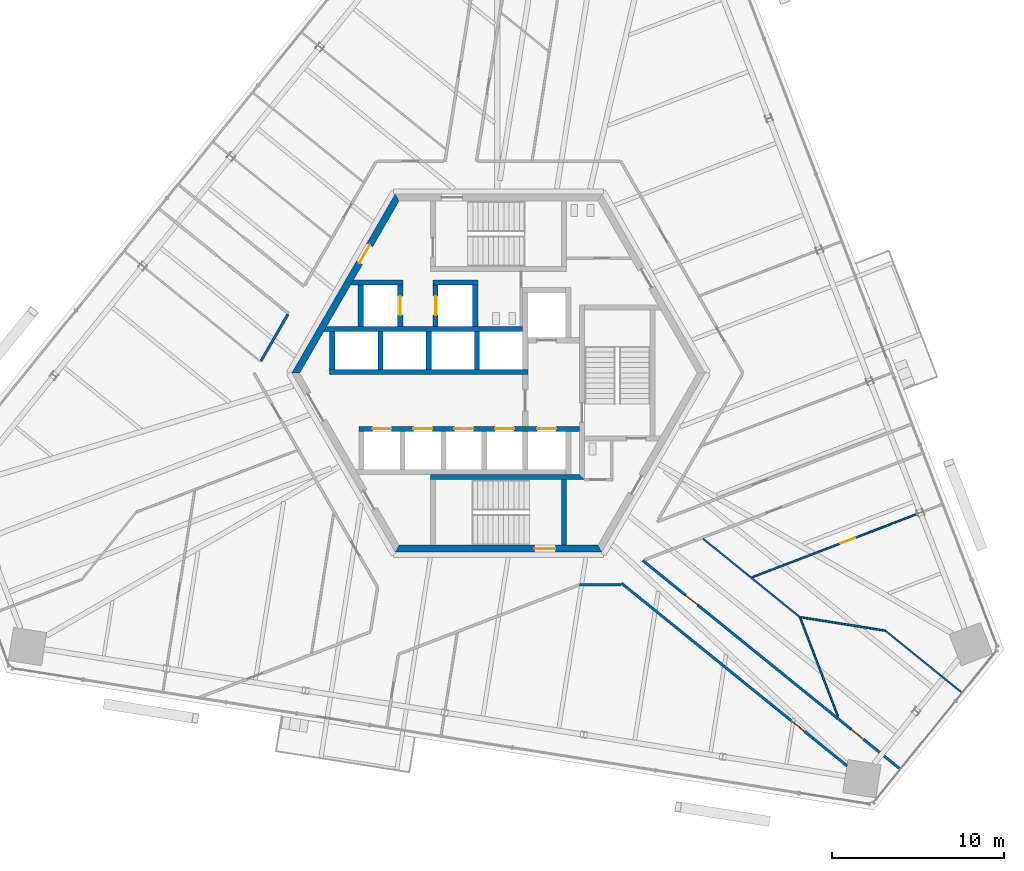
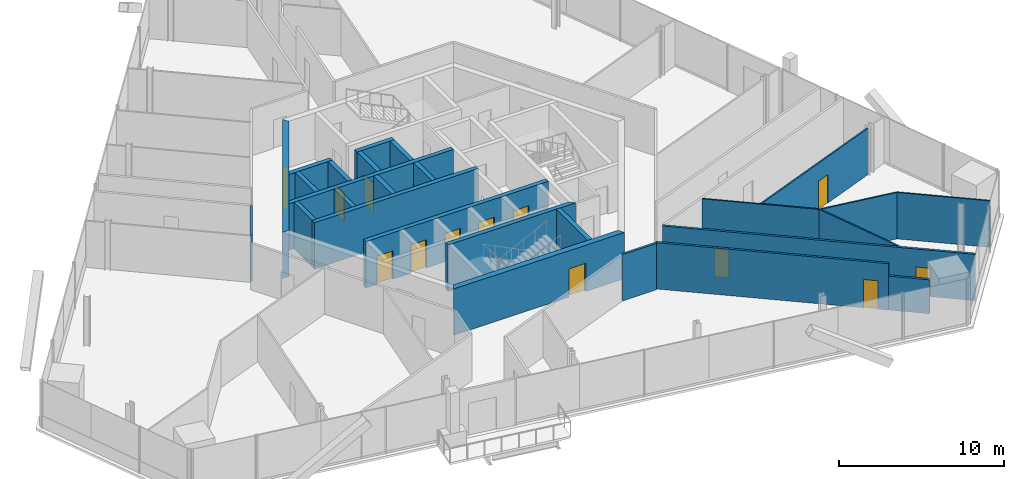
# One storey, part 12 of 19: 27 walls, 13 doors, 13 openings.
"""IFC4 building model written with IfcOpenShell, lengths in metres."""

from ifc_helpers import new_model, si_unit, direction, frame, frame_2d, origin, place, context, subcontext, project, spatial, polyline, rectangle, outline, extrude, source, transform, mapped, material, layer, layer_set, type_object, element, fill, save


model = new_model("IFC4")

# Units and contexts
model_context = context("Model", 3, precision=1e-05, world=origin(), true_north=direction((0.0, 1.0)))
body_context = subcontext(model_context, "Body", "Model", "MODEL_VIEW")
ifc_project = project(units=[si_unit("LENGTHUNIT", "METRE"), si_unit("AREAUNIT", "SQUARE_METRE"), si_unit("VOLUMEUNIT", "CUBIC_METRE"), si_unit("PLANEANGLEUNIT", "RADIAN"), si_unit("MASSUNIT", "GRAM", prefix="KILO")], contexts=[model_context])

# Site, building, storey
site_placement = place(None, origin())
site = spatial("IfcSite", under=ifc_project, at=site_placement, CompositionType="ELEMENT")
building_placement = place(site_placement, origin())
building = spatial("IfcBuilding", under=site, at=building_placement, Name="Triune Harvest Tower", CompositionType="ELEMENT")
storey_placement = place(building_placement, frame((0.0, 0.0, 142.5)))
storey = spatial("IfcBuildingStorey", under=building, at=storey_placement, Name="L36", CompositionType="ELEMENT", Elevation=142.5)

# Wall
ifc_material_1 = material(Name="Gypsum board on steel studs", Category="steel")
ifc_layer_1 = layer(ifc_material_1, 0.10009765625)
ifc_layer_set_1 = layer_set([ifc_layer_1], Name="Gypsum board on steel studs")
wall_type_1 = type_object("IfcWallType", Name="Partition 100 mm", PredefinedType="PARTITIONING", material=ifc_layer_set_1)
wall_1_placement = place(storey_placement, frame((17.56787109375, -14.18115234375, 0.0), z_axis=(0.0, 0.0, 1.0), x_axis=(0.987688146397, -0.156435691151, 0.0)))
element("IfcWall", 1, at=wall_1_placement, inside=storey, type_object=wall_type_1, Name="Partition L36 021", PredefinedType="PARTITIONING", context=body_context, shape_type="SweptSolid", body=[
    extrude(rectangle(XDim=4.955078125, YDim=0.10009765625, at=frame_2d((2.4775390625, 0.0))), origin(), (0.0, 0.0, 1.0), 3.43994140625),
])

# Wall, opening, door
ifc_material_2 = material(Name="Concrete 70 MPa", Category="concrete")
ifc_layer_2 = layer(ifc_material_2, 0.39990234375)
ifc_layer_set_2 = layer_set([ifc_layer_2], Name="Concrete 70 MPa")
wall_type_2 = type_object("IfcWallType", Name="Core wall 400", PredefinedType="SHEAR", material=ifc_layer_set_2)
shared_shape_1 = source(origin(), body_context, "Body", "SweptSolid", [
    extrude(outline(polyline([(-0.115478515625, -0.199951171875), (11.884521484375, -0.199951171875), (11.653564453125, 0.199951171875), (0.115478515625, 0.199951171875), (-0.115478515625, -0.199951171875)])), origin(), (0.0, 0.0, 1.0), 3.43994140625),
])
wall_2_placement = place(storey_placement, frame((-5.884521484375, 10.1923828125, 0.0), z_axis=(0.0, 0.0, 1.0), x_axis=(-0.499996592174, -0.866027371285, 0.0)))
wall_2 = element("IfcWall", 2, at=wall_2_placement, inside=storey, type_object=wall_type_2, Name="Hexagon 2 wall", PredefinedType="SHEAR", context=body_context, shape_type="MappedRepresentation", body=[
    mapped(shared_shape_1, transform((0.0, 0.0, 0.0), scale=1.0)),
])
opening_1_placement = place(wall_2_placement, frame((3.1845703125, 0.0, 0.0)))
opening_1 = element("IfcOpeningElement", 3, at=opening_1_placement, cuts=wall_2, Name="Opening CD-SVP", PredefinedType="OPENING", context=body_context, shape_type="SweptSolid", body=[
    extrude(rectangle(XDim=1.199951171875, YDim=2.10009765625, at=frame_2d((0.60009765625, 1.050048828125))), frame((0.0, 0.2099609375, 0.0), z_axis=(0.0, -1.0, 0.0), x_axis=(1.0, 0.0, 0.0)), (0.0, 0.0, 1.0), 0.419921875),
])
ifc_material_3 = material(Name="Steel S235", Category="steel")
door_type_1 = type_object("IfcDoorType", Name="Service door 1200 FD120", OperationType="SINGLE_SWING_LEFT", PredefinedType="DOOR", material=ifc_material_3)
door_1_placement = place(opening_1_placement, frame((1.199951171875, 0.0, 0.0), z_axis=(0.0, 0.0, 1.0), x_axis=(-1.0, 0.0, 0.0)))
door_1 = element("IfcDoor", 4, at=door_1_placement, inside=storey, type_object=door_type_1, Name="Door CD-SVP", OperationType="SINGLE_SWING_RIGHT", OverallHeight=2.10009765625, OverallWidth=1.199951171875, PredefinedType="DOOR", context=body_context, shape_type="SweptSolid", body=[
    extrude(rectangle(XDim=1.199951171875, YDim=2.10009765625, at=frame_2d((0.60009765625, 1.050048828125))), frame((0.0, 0.02490234375, 0.0), z_axis=(0.0, -1.0, 0.0), x_axis=(1.0, 0.0, 0.0)), (0.0, 0.0, 1.0), 0.050048828125),
])
fill(opening_1, door_1)

wall_3_placement = place(storey_placement, frame((-5.884521484375, -10.1923828125, 0.0), z_axis=(0.0, 0.0, 1.0), x_axis=(1.0, 0.0, 0.0)))
wall_3 = element("IfcWall", 5, at=wall_3_placement, inside=storey, type_object=wall_type_2, Name="Hexagon 4 wall", PredefinedType="SHEAR", context=body_context, shape_type="MappedRepresentation", body=[
    mapped(shared_shape_1, transform((0.0, 0.0, 0.0), scale=1.0)),
])
opening_2_placement = place(wall_3_placement, frame((7.984619140625, 0.0, 0.0)))
opening_2 = element("IfcOpeningElement", 6, at=opening_2_placement, cuts=wall_3, Name="Opening CD-S2P", PredefinedType="OPENING", context=body_context, shape_type="SweptSolid", body=[
    extrude(rectangle(XDim=1.199951171875, YDim=2.10009765625, at=frame_2d((0.60009765625, 1.050048828125))), frame((0.0, 0.2099609375, 0.0), z_axis=(0.0, -1.0, 0.0), x_axis=(1.0, 0.0, 0.0)), (0.0, 0.0, 1.0), 0.419921875),
])
ifc_material_4 = material(Name="Steel S235", Category="steel")
door_type_2 = type_object("IfcDoorType", Name="Stair door 1200 FD120", OperationType="SINGLE_SWING_LEFT", PredefinedType="DOOR", material=ifc_material_4)
door_2_placement = place(opening_2_placement, frame((1.199951171875, 0.0, 0.0), z_axis=(0.0, 0.0, 1.0), x_axis=(-1.0, 0.0, 0.0)))
door_2 = element("IfcDoor", 7, at=door_2_placement, inside=storey, type_object=door_type_2, Name="Door CD-S2P", OperationType="SINGLE_SWING_RIGHT", OverallHeight=2.10009765625, OverallWidth=1.199951171875, PredefinedType="DOOR", context=body_context, shape_type="SweptSolid", body=[
    extrude(rectangle(XDim=1.199951171875, YDim=2.10009765625, at=frame_2d((0.60009765625, 1.050048828125))), frame((0.0, 0.02490234375, 0.0), z_axis=(0.0, -1.0, 0.0), x_axis=(1.0, 0.0, 0.0)), (0.0, 0.0, 1.0), 0.050048828125),
])
fill(opening_2, door_2)

# Walls
ifc_material_5 = material(Name="Concrete 70 MPa", Category="concrete")
ifc_layer_3 = layer(ifc_material_5, 0.300048828125)
ifc_layer_set_3 = layer_set([ifc_layer_3], Name="Concrete 70 MPa")
wall_type_3 = type_object("IfcWallType", Name="Core wall 300", PredefinedType="SHEAR", material=ifc_layer_set_3)
shared_shape_2 = source(origin(), body_context, "Body", "SweptSolid", [
    extrude(rectangle(XDim=11.5, YDim=0.300048828125, at=frame_2d((5.75, 0.0))), origin(), (0.0, 0.0, 1.0), 3.43994140625),
])
wall_4_placement = place(storey_placement, frame((-9.800048828125, 0.06005859375, 0.0), z_axis=(0.0, 0.0, 1.0), x_axis=(1.0, 0.0, 0.0)))
element("IfcWall", 8, at=wall_4_placement, inside=storey, type_object=wall_type_3, Name="North front wall", PredefinedType="SHEAR", context=body_context, shape_type="MappedRepresentation", body=[
    mapped(shared_shape_2, transform((0.0, 0.0, 0.0), scale=1.0)),
])
shared_shape_3 = source(origin(), body_context, "Body", "SweptSolid", [
    extrude(outline(polyline([(11.199951171875, -0.14990234375), (-0.34912109375, -0.14990234375), (-0.17578125, 0.14990234375), (11.199951171875, 0.14990234375), (11.199951171875, -0.14990234375)])), origin(), (0.0, 0.0, 1.0), 3.43994140625),
])
wall_5_placement = place(storey_placement, frame((-9.800048828125, 2.56005859375, 0.0), z_axis=(0.0, 0.0, 1.0), x_axis=(1.0, 0.0, 0.0)))
element("IfcWall", 9, at=wall_5_placement, inside=storey, type_object=wall_type_3, Name="North back wall", PredefinedType="SHEAR", context=body_context, shape_type="MappedRepresentation", body=[
    mapped(shared_shape_3, transform((0.0, 0.0, 0.0), scale=1.0)),
])

# Wall, openings, doors
shared_shape_4 = source(origin(), body_context, "Body", "SweptSolid", [
    extrude(rectangle(XDim=12.800048828125, YDim=0.300048828125, at=frame_2d((6.39990234375, 0.0))), origin(), (0.0, 0.0, 1.0), 3.43994140625),
])
wall_6_placement = place(storey_placement, frame((-8.10009765625, -3.239990234375, 0.0), z_axis=(0.0, 0.0, 1.0), x_axis=(1.0, 0.0, 0.0)))
wall_6 = element("IfcWall", 10, at=wall_6_placement, inside=storey, type_object=wall_type_3, Name="South front wall", PredefinedType="SHEAR", context=body_context, shape_type="MappedRepresentation", body=[
    mapped(shared_shape_4, transform((0.0, 0.0, 0.0), scale=1.0)),
])
opening_3_placement = place(wall_6_placement, frame((0.78759765625, 0.0, 0.0)))
opening_3 = element("IfcOpeningElement", 11, at=opening_3_placement, cuts=wall_6, Name="Opening LD-HR1-36", PredefinedType="OPENING", context=body_context, shape_type="SweptSolid", body=[
    extrude(rectangle(XDim=1.10009765625, YDim=2.10009765625, at=frame_2d((0.550048828125, 1.050048828125))), frame((0.0, 0.16015625, 0.0), z_axis=(0.0, -1.0, 0.0), x_axis=(1.0, 0.0, 0.0)), (0.0, 0.0, 1.0), 0.320068359375),
])
opening_4_placement = place(wall_6_placement, frame((3.16259765625, 0.0, 0.0)))
opening_4 = element("IfcOpeningElement", 12, at=opening_4_placement, cuts=wall_6, Name="Opening LD-HR2-36", PredefinedType="OPENING", context=body_context, shape_type="SweptSolid", body=[
    extrude(rectangle(XDim=1.10009765625, YDim=2.10009765625, at=frame_2d((0.550048828125, 1.050048828125))), frame((0.0, 0.16015625, 0.0), z_axis=(0.0, -1.0, 0.0), x_axis=(1.0, 0.0, 0.0)), (0.0, 0.0, 1.0), 0.320068359375),
])
opening_5_placement = place(wall_6_placement, frame((5.53759765625, 0.0, 0.0)))
opening_5 = element("IfcOpeningElement", 13, at=opening_5_placement, cuts=wall_6, Name="Opening LD-HR3-36", PredefinedType="OPENING", context=body_context, shape_type="SweptSolid", body=[
    extrude(rectangle(XDim=1.10009765625, YDim=2.10009765625, at=frame_2d((0.550048828125, 1.050048828125))), frame((0.0, 0.16015625, 0.0), z_axis=(0.0, -1.0, 0.0), x_axis=(1.0, 0.0, 0.0)), (0.0, 0.0, 1.0), 0.320068359375),
])
opening_6_placement = place(wall_6_placement, frame((7.91259765625, 0.0, 0.0)))
opening_6 = element("IfcOpeningElement", 14, at=opening_6_placement, cuts=wall_6, Name="Opening LD-HR4-36", PredefinedType="OPENING", context=body_context, shape_type="SweptSolid", body=[
    extrude(rectangle(XDim=1.10009765625, YDim=2.10009765625, at=frame_2d((0.550048828125, 1.050048828125))), frame((0.0, 0.16015625, 0.0), z_axis=(0.0, -1.0, 0.0), x_axis=(1.0, 0.0, 0.0)), (0.0, 0.0, 1.0), 0.320068359375),
])
opening_7_placement = place(wall_6_placement, frame((10.35009765625, 0.0, 0.0)))
opening_7 = element("IfcOpeningElement", 15, at=opening_7_placement, cuts=wall_6, Name="Opening LD-FF2-36", PredefinedType="OPENING", context=body_context, shape_type="SweptSolid", body=[
    extrude(rectangle(XDim=1.10009765625, YDim=2.10009765625, at=frame_2d((0.550048828125, 1.050048828125))), frame((0.0, 0.16015625, 0.0), z_axis=(0.0, -1.0, 0.0), x_axis=(1.0, 0.0, 0.0)), (0.0, 0.0, 1.0), 0.320068359375),
])
ifc_material_6 = material(Name="Stainless steel AISI 304", Category="steel")
door_type_3 = type_object("IfcDoorType", Name="Landing door 1100 x 2100", OperationType="DOUBLE_DOOR_SLIDING", PredefinedType="DOOR", material=ifc_material_6)
door_3_placement = place(opening_3_placement, origin())
door_3 = element("IfcDoor", 16, at=door_3_placement, inside=storey, type_object=door_type_3, Name="Door LD-HR1-36", OperationType="DOUBLE_DOOR_SLIDING", OverallHeight=2.10009765625, OverallWidth=1.10009765625, PredefinedType="DOOR", context=body_context, shape_type="SweptSolid", body=[
    extrude(rectangle(XDim=1.10009765625, YDim=2.10009765625, at=frame_2d((0.550048828125, 1.050048828125))), frame((0.0, 0.02490234375, 0.0), z_axis=(0.0, -1.0, 0.0), x_axis=(1.0, 0.0, 0.0)), (0.0, 0.0, 1.0), 0.050048828125),
])
fill(opening_3, door_3)
door_4_placement = place(opening_4_placement, origin())
door_4 = element("IfcDoor", 17, at=door_4_placement, inside=storey, type_object=door_type_3, Name="Door LD-HR2-36", OperationType="DOUBLE_DOOR_SLIDING", OverallHeight=2.10009765625, OverallWidth=1.10009765625, PredefinedType="DOOR", context=body_context, shape_type="SweptSolid", body=[
    extrude(rectangle(XDim=1.10009765625, YDim=2.10009765625, at=frame_2d((0.550048828125, 1.050048828125))), frame((0.0, 0.02490234375, 0.0), z_axis=(0.0, -1.0, 0.0), x_axis=(1.0, 0.0, 0.0)), (0.0, 0.0, 1.0), 0.050048828125),
])
fill(opening_4, door_4)
door_5_placement = place(opening_5_placement, origin())
door_5 = element("IfcDoor", 18, at=door_5_placement, inside=storey, type_object=door_type_3, Name="Door LD-HR3-36", OperationType="DOUBLE_DOOR_SLIDING", OverallHeight=2.10009765625, OverallWidth=1.10009765625, PredefinedType="DOOR", context=body_context, shape_type="SweptSolid", body=[
    extrude(rectangle(XDim=1.10009765625, YDim=2.10009765625, at=frame_2d((0.550048828125, 1.050048828125))), frame((0.0, 0.02490234375, 0.0), z_axis=(0.0, -1.0, 0.0), x_axis=(1.0, 0.0, 0.0)), (0.0, 0.0, 1.0), 0.050048828125),
])
fill(opening_5, door_5)
door_6_placement = place(opening_6_placement, origin())
door_6 = element("IfcDoor", 19, at=door_6_placement, inside=storey, type_object=door_type_3, Name="Door LD-HR4-36", OperationType="DOUBLE_DOOR_SLIDING", OverallHeight=2.10009765625, OverallWidth=1.10009765625, PredefinedType="DOOR", context=body_context, shape_type="SweptSolid", body=[
    extrude(rectangle(XDim=1.10009765625, YDim=2.10009765625, at=frame_2d((0.550048828125, 1.050048828125))), frame((0.0, 0.02490234375, 0.0), z_axis=(0.0, -1.0, 0.0), x_axis=(1.0, 0.0, 0.0)), (0.0, 0.0, 1.0), 0.050048828125),
])
fill(opening_6, door_6)
door_7_placement = place(opening_7_placement, origin())
door_7 = element("IfcDoor", 20, at=door_7_placement, inside=storey, type_object=door_type_3, Name="Door LD-FF2-36", OperationType="DOUBLE_DOOR_SLIDING", OverallHeight=2.10009765625, OverallWidth=1.10009765625, PredefinedType="DOOR", context=body_context, shape_type="SweptSolid", body=[
    extrude(rectangle(XDim=1.10009765625, YDim=2.10009765625, at=frame_2d((0.550048828125, 1.050048828125))), frame((0.0, 0.02490234375, 0.0), z_axis=(0.0, -1.0, 0.0), x_axis=(1.0, 0.0, 0.0)), (0.0, 0.0, 1.0), 0.050048828125),
])
fill(opening_7, door_7)

# Walls
shared_shape_5 = source(origin(), body_context, "Body", "SweptSolid", [
    extrude(rectangle(XDim=2.199951171875, YDim=0.300048828125, at=frame_2d((1.10009765625, 0.0))), origin(), (0.0, 0.0, 1.0), 3.43994140625),
])
for number, where, z_axis, x_axis, name in (
    (21, (-9.64990234375, 0.2099609375, 0.0), (0.0, 0.0, 1.0), (0.0, 1.0, 0.0), "North end west wall"),
    (22, (-6.85009765625, 0.2099609375, 0.0), (0.0, 0.0, 1.0), (0.0, 1.0, 0.0), "North cross 1 wall"),
    (23, (-4.050048828125, 0.2099609375, 0.0), (0.0, 0.0, 1.0), (0.0, 1.0, 0.0), "North cross 2 wall"),
    (24, (-1.25, 0.2099609375, 0.0), (0.0, 0.0, 1.0), (0.0, 1.0, 0.0), "North cross 3 wall"),
):
    element("IfcWall", number, at=place(storey_placement, frame(where, z_axis=z_axis, x_axis=x_axis)), inside=storey, type_object=wall_type_3, Name=name, PredefinedType="SHEAR", context=body_context, shape_type="MappedRepresentation", body=[
        mapped(shared_shape_5, transform((0.0, 0.0, 0.0), scale=1.0)),
    ])
shared_shape_6 = source(origin(), body_context, "Body", "SweptSolid", [
    extrude(outline(polyline([(0.0, -0.14990234375), (8.949951171875, -0.14990234375), (8.64990234375, 0.14990234375), (0.0, 0.14990234375), (0.0, -0.14990234375)])), origin(), (0.0, 0.0, 1.0), 3.43994140625),
])
wall_7_placement = place(storey_placement, frame((-3.949951171875, -6.0400390625, 0.0), z_axis=(0.0, 0.0, 1.0), x_axis=(1.0, 0.0, 0.0)))
element("IfcWall", 25, at=wall_7_placement, inside=storey, type_object=wall_type_3, Name="Stair s north wall", PredefinedType="SHEAR", context=body_context, shape_type="MappedRepresentation", body=[
    mapped(shared_shape_6, transform((0.0, 0.0, 0.0), scale=1.0)),
])
shared_shape_7 = source(origin(), body_context, "Body", "SweptSolid", [
    extrude(outline(polyline([(3.800048828125, -0.14990234375), (-0.00439453125, -0.14990234375), (-0.00439453125, 0.14990234375), (3.800048828125, 0.14990234375), (3.800048828125, -0.14990234375)])), origin(), (0.0, 0.0, 1.0), 3.43994140625),
])
wall_8_placement = place(storey_placement, frame((3.800048828125, -9.989990234375, 0.0), z_axis=(0.0, 0.0, 1.0), x_axis=(0.0, 1.0, 0.0)))
element("IfcWall", 26, at=wall_8_placement, inside=storey, type_object=wall_type_3, Name="Stair s east wall", PredefinedType="SHEAR", context=body_context, shape_type="MappedRepresentation", body=[
    mapped(shared_shape_7, transform((0.0, 0.0, 0.0), scale=1.0)),
])
shared_shape_8 = source(origin(), body_context, "Body", "SweptSolid", [
    extrude(outline(polyline([(2.60009765625, -0.14990234375), (-0.440185546875, -0.14990234375), (-0.26708984375, 0.14990234375), (2.60009765625, 0.14990234375), (2.60009765625, -0.14990234375)])), origin(), (0.0, 0.0, 1.0), 3.43994140625),
])
wall_9_placement = place(storey_placement, frame((-8.14990234375, 5.260009765625, 0.0), z_axis=(0.0, 0.0, 1.0), x_axis=(1.0, 0.0, 0.0)))
element("IfcWall", 27, at=wall_9_placement, inside=storey, type_object=wall_type_3, Name="Sv1 north wall", PredefinedType="SHEAR", context=body_context, shape_type="MappedRepresentation", body=[
    mapped(shared_shape_8, transform((0.0, 0.0, 0.0), scale=1.0)),
])
shared_shape_9 = source(origin(), body_context, "Body", "SweptSolid", [
    extrude(rectangle(XDim=2.400146484375, YDim=0.300048828125, at=frame_2d((1.2001953125, 0.0))), origin(), (0.0, 0.0, 1.0), 3.43994140625),
])
wall_10_placement = place(storey_placement, frame((-8.0, 2.7099609375, 0.0), z_axis=(0.0, 0.0, 1.0), x_axis=(0.0, 1.0, 0.0)))
element("IfcWall", 28, at=wall_10_placement, inside=storey, type_object=wall_type_3, Name="Sv1 west wall", PredefinedType="SHEAR", context=body_context, shape_type="MappedRepresentation", body=[
    mapped(shared_shape_9, transform((0.0, 0.0, 0.0), scale=1.0)),
])

# Wall, opening, door
wall_11_placement = place(storey_placement, frame((-5.699951171875, 2.7099609375, 0.0), z_axis=(0.0, 0.0, 1.0), x_axis=(0.0, 1.0, 0.0)))
wall_11 = element("IfcWall", 29, at=wall_11_placement, inside=storey, type_object=wall_type_3, Name="Sv1 east wall", PredefinedType="SHEAR", context=body_context, shape_type="MappedRepresentation", body=[
    mapped(shared_shape_9, transform((0.0, 0.0, 0.0), scale=1.0)),
])
opening_8_placement = place(wall_11_placement, frame((0.64990234375, 0.0, 0.0)))
opening_8 = element("IfcOpeningElement", 30, at=opening_8_placement, cuts=wall_11, Name="Opening LD-SV1-36", PredefinedType="OPENING", context=body_context, shape_type="SweptSolid", body=[
    extrude(rectangle(XDim=1.10009765625, YDim=2.10009765625, at=frame_2d((0.550048828125, 1.050048828125))), frame((0.0, 0.16015625, 0.0), z_axis=(0.0, -1.0, 0.0), x_axis=(1.0, 0.0, 0.0)), (0.0, 0.0, 1.0), 0.320068359375),
])
door_8_placement = place(opening_8_placement, origin())
door_8 = element("IfcDoor", 31, at=door_8_placement, inside=storey, type_object=door_type_3, Name="Door LD-SV1-36", OperationType="DOUBLE_DOOR_SLIDING", OverallHeight=2.10009765625, OverallWidth=1.10009765625, PredefinedType="DOOR", context=body_context, shape_type="SweptSolid", body=[
    extrude(rectangle(XDim=1.10009765625, YDim=2.10009765625, at=frame_2d((0.550048828125, 1.050048828125))), frame((0.0, 0.02490234375, 0.0), z_axis=(0.0, -1.0, 0.0), x_axis=(1.0, 0.0, 0.0)), (0.0, 0.0, 1.0), 0.050048828125),
])
fill(opening_8, door_8)

wall_12_placement = place(storey_placement, frame((-3.64990234375, 2.7099609375, 0.0), z_axis=(0.0, 0.0, 1.0), x_axis=(0.0, 1.0, 0.0)))
wall_12 = element("IfcWall", 32, at=wall_12_placement, inside=storey, type_object=wall_type_3, Name="Sv2 west wall", PredefinedType="SHEAR", context=body_context, shape_type="MappedRepresentation", body=[
    mapped(shared_shape_9, transform((0.0, 0.0, 0.0), scale=1.0)),
])
opening_9_placement = place(wall_12_placement, frame((0.64990234375, 0.0, 0.0)))
opening_9 = element("IfcOpeningElement", 33, at=opening_9_placement, cuts=wall_12, Name="Opening LD-SV2-36", PredefinedType="OPENING", context=body_context, shape_type="SweptSolid", body=[
    extrude(rectangle(XDim=1.10009765625, YDim=2.10009765625, at=frame_2d((0.550048828125, 1.050048828125))), frame((0.0, 0.16015625, 0.0), z_axis=(0.0, -1.0, 0.0), x_axis=(1.0, 0.0, 0.0)), (0.0, 0.0, 1.0), 0.320068359375),
])
door_9_placement = place(opening_9_placement, origin())
door_9 = element("IfcDoor", 34, at=door_9_placement, inside=storey, type_object=door_type_3, Name="Door LD-SV2-36", OperationType="DOUBLE_DOOR_SLIDING", OverallHeight=2.10009765625, OverallWidth=1.10009765625, PredefinedType="DOOR", context=body_context, shape_type="SweptSolid", body=[
    extrude(rectangle(XDim=1.10009765625, YDim=2.10009765625, at=frame_2d((0.550048828125, 1.050048828125))), frame((0.0, 0.02490234375, 0.0), z_axis=(0.0, -1.0, 0.0), x_axis=(1.0, 0.0, 0.0)), (0.0, 0.0, 1.0), 0.050048828125),
])
fill(opening_9, door_9)

# Walls
wall_13_placement = place(storey_placement, frame((-1.35009765625, 2.7099609375, 0.0), z_axis=(0.0, 0.0, 1.0), x_axis=(0.0, 1.0, 0.0)))
element("IfcWall", 35, at=wall_13_placement, inside=storey, type_object=wall_type_3, Name="Sv2 east wall", PredefinedType="SHEAR", context=body_context, shape_type="MappedRepresentation", body=[
    mapped(shared_shape_9, transform((0.0, 0.0, 0.0), scale=1.0)),
])
shared_shape_10 = source(origin(), body_context, "Body", "SweptSolid", [
    extrude(rectangle(XDim=2.60009765625, YDim=0.300048828125, at=frame_2d((1.300048828125, 0.0))), origin(), (0.0, 0.0, 1.0), 3.43994140625),
])
wall_14_placement = place(storey_placement, frame((-3.800048828125, 5.260009765625, 0.0), z_axis=(0.0, 0.0, 1.0), x_axis=(1.0, 0.0, 0.0)))
element("IfcWall", 36, at=wall_14_placement, inside=storey, type_object=wall_type_3, Name="Sv2 north wall", PredefinedType="SHEAR", context=body_context, shape_type="MappedRepresentation", body=[
    mapped(shared_shape_10, transform((0.0, 0.0, 0.0), scale=1.0)),
])
shared_shape_11 = source(origin(), body_context, "Body", "SweptSolid", [
    extrude(rectangle(XDim=6.175048828125, YDim=0.10009765625, at=frame_2d((3.08740234375, 0.0))), origin(), (0.0, 0.0, 1.0), 3.43994140625),
])
wall_15_placement = place(storey_placement, frame((17.498779296875, -14.170166015625, 0.0), z_axis=(0.0, 0.0, 1.0), x_axis=(0.358361696596, -0.933582826756, 0.0)))
element("IfcWall", 37, at=wall_15_placement, inside=storey, type_object=wall_type_1, Name="Partition L36 002", PredefinedType="PARTITIONING", context=body_context, shape_type="MappedRepresentation", body=[
    mapped(shared_shape_11, transform((0.0, 0.0, 0.0), scale=1.0)),
])

# Wall, opening, door
ifc_material_7 = material(Name="Gypsum board on steel studs", Category="steel")
ifc_layer_4 = layer(ifc_material_7, 0.14990234375)
ifc_layer_set_4 = layer_set([ifc_layer_4], Name="Gypsum board on steel studs")
wall_type_4 = type_object("IfcWallType", Name="Fire Partition 150 mm", PredefinedType="PARTITIONING", material=ifc_layer_set_4)
shared_shape_12 = source(origin(), body_context, "Body", "SweptSolid", [
    extrude(rectangle(XDim=14.321533203125, YDim=0.14990234375, at=frame_2d((7.16064453125, 0.0))), origin(), (0.0, 0.0, 1.0), 3.43994140625),
])
wall_16_placement = place(storey_placement, frame((7.14697265625, -12.20556640625, 0.0), z_axis=(0.0, 0.0, 1.0), x_axis=(0.777141246754, -0.629326213179, 0.0)))
wall_16 = element("IfcWall", 38, at=wall_16_placement, inside=storey, type_object=wall_type_4, Name="Partition L36 008", PredefinedType="PARTITIONING", context=body_context, shape_type="MappedRepresentation", body=[
    mapped(shared_shape_12, transform((0.0, 0.0, 0.0), scale=1.0)),
])
opening_10_placement = place(wall_16_placement, frame((12.7734375, 0.0, 0.0)))
opening_10 = element("IfcOpeningElement", 39, at=opening_10_placement, cuts=wall_16, Name="Opening L36-019", PredefinedType="OPENING", context=body_context, shape_type="SweptSolid", body=[
    extrude(rectangle(XDim=0.89990234375, YDim=2.10009765625, at=frame_2d((0.449951171875, 1.050048828125))), frame((0.0, 0.0849609375, 0.0), z_axis=(0.0, -1.0, 0.0), x_axis=(1.0, 0.0, 0.0)), (0.0, 0.0, 1.0), 0.169921875),
])
ifc_material_8 = material(Name="Timber and steel door set", Category="steel")
door_type_4 = type_object("IfcDoorType", Name="Single leaf door FD30 left hand 900 x 2100", OperationType="SINGLE_SWING_LEFT", PredefinedType="DOOR", material=ifc_material_8)
door_10_placement = place(opening_10_placement, origin())
door_10 = element("IfcDoor", 40, at=door_10_placement, inside=storey, type_object=door_type_4, Name="Door L36-019 Open Office 36.19", OperationType="SINGLE_SWING_LEFT", OverallHeight=2.10009765625, OverallWidth=0.89990234375, PredefinedType="DOOR", context=body_context, shape_type="SweptSolid", body=[
    extrude(rectangle(XDim=0.89990234375, YDim=2.10009765625, at=frame_2d((0.449951171875, 1.050048828125))), frame((0.0, 0.02490234375, 0.0), z_axis=(0.0, -1.0, 0.0), x_axis=(1.0, 0.0, 0.0)), (0.0, 0.0, 1.0), 0.050048828125),
])
fill(opening_10, door_10)

# Wall
shared_shape_13 = source(origin(), body_context, "Body", "SweptSolid", [
    extrude(rectangle(XDim=2.52734375, YDim=0.14990234375, at=frame_2d((1.263671875, 0.0))), origin(), (0.0, 0.0, 1.0), 2.51806640625),
])
wall_17_placement = place(storey_placement, frame((18.27685546875, -21.218505859375, 0.0), z_axis=(0.0, 0.0, 1.0), x_axis=(0.777132380952, -0.629337161206, 0.0)))
element("IfcWall", 41, at=wall_17_placement, inside=storey, type_object=wall_type_4, Name="Partition L36 008a", PredefinedType="PARTITIONING", context=body_context, shape_type="MappedRepresentation", body=[
    mapped(shared_shape_13, transform((0.0, 0.0, 0.0), scale=1.0)),
])

# Wall, openings, doors
shared_shape_14 = source(origin(), body_context, "Body", "SweptSolid", [
    extrude(rectangle(XDim=19.250244140625, YDim=0.14990234375, at=frame_2d((9.625, 0.0))), origin(), (0.0, 0.0, 1.0), 3.43994140625),
])
wall_18_placement = place(storey_placement, frame((8.37548828125, -10.884033203125, 0.0), z_axis=(0.0, 0.0, 1.0), x_axis=(0.777140603602, -0.629327007392, 0.0)))
wall_18 = element("IfcWall", 42, at=wall_18_placement, inside=storey, type_object=wall_type_4, Name="Partition L36 010", PredefinedType="PARTITIONING", context=body_context, shape_type="MappedRepresentation", body=[
    mapped(shared_shape_14, transform((0.0, 0.0, 0.0), scale=1.0)),
])
opening_11_placement = place(wall_18_placement, frame((3.211181640625, 0.0, 0.0)))
opening_11 = element("IfcOpeningElement", 43, at=opening_11_placement, cuts=wall_18, Name="Opening L36-020", PredefinedType="OPENING", context=body_context, shape_type="SweptSolid", body=[
    extrude(rectangle(XDim=0.89990234375, YDim=2.10009765625, at=frame_2d((0.449951171875, 1.050048828125))), frame((0.0, 0.0849609375, 0.0), z_axis=(0.0, -1.0, 0.0), x_axis=(1.0, 0.0, 0.0)), (0.0, 0.0, 1.0), 0.169921875),
])
opening_12_placement = place(wall_18_placement, frame((15.6005859375, 0.0, 0.0)))
opening_12 = element("IfcOpeningElement", 44, at=opening_12_placement, cuts=wall_18, Name="Opening L36-021", PredefinedType="OPENING", context=body_context, shape_type="SweptSolid", body=[
    extrude(rectangle(XDim=0.89990234375, YDim=2.10009765625, at=frame_2d((0.449951171875, 1.050048828125))), frame((0.0, 0.0849609375, 0.0), z_axis=(0.0, -1.0, 0.0), x_axis=(1.0, 0.0, 0.0)), (0.0, 0.0, 1.0), 0.169921875),
])
door_11_placement = place(opening_11_placement, origin())
door_11 = element("IfcDoor", 45, at=door_11_placement, inside=storey, type_object=door_type_4, Name="Door L36-020 Dry Store Room 36.20", OperationType="SINGLE_SWING_LEFT", OverallHeight=2.10009765625, OverallWidth=0.89990234375, PredefinedType="DOOR", context=body_context, shape_type="SweptSolid", body=[
    extrude(rectangle(XDim=0.89990234375, YDim=2.10009765625, at=frame_2d((0.449951171875, 1.050048828125))), frame((0.0, 0.02490234375, 0.0), z_axis=(0.0, -1.0, 0.0), x_axis=(1.0, 0.0, 0.0)), (0.0, 0.0, 1.0), 0.050048828125),
])
fill(opening_11, door_11)
ifc_material_9 = material(Name="Timber and steel door set", Category="steel")
door_type_5 = type_object("IfcDoorType", Name="Single leaf door FD30 right hand 900 x 2100", OperationType="SINGLE_SWING_RIGHT", PredefinedType="DOOR", material=ifc_material_9)
door_12_placement = place(opening_12_placement, origin())
door_12 = element("IfcDoor", 46, at=door_12_placement, inside=storey, type_object=door_type_5, Name="Door L36-021 Office 36.21", OperationType="SINGLE_SWING_RIGHT", OverallHeight=2.10009765625, OverallWidth=0.89990234375, PredefinedType="DOOR", context=body_context, shape_type="SweptSolid", body=[
    extrude(rectangle(XDim=0.89990234375, YDim=2.10009765625, at=frame_2d((0.449951171875, 1.050048828125))), frame((0.0, 0.02490234375, 0.0), z_axis=(0.0, -1.0, 0.0), x_axis=(1.0, 0.0, 0.0)), (0.0, 0.0, 1.0), 0.050048828125),
])
fill(opening_12, door_12)

# Walls
shared_shape_15 = source(origin(), body_context, "Body", "SweptSolid", [
    extrude(rectangle(XDim=7.22802734375, YDim=0.10009765625, at=frame_2d((3.614013671875, 0.0))), origin(), (0.0, 0.0, 1.0), 3.43994140625),
])
wall_19_placement = place(storey_placement, frame((11.881591796875, -9.621337890625, 0.0), z_axis=(0.0, 0.0, 1.0), x_axis=(0.777137884009, -0.629330365736, 0.0)))
element("IfcWall", 47, at=wall_19_placement, inside=storey, type_object=wall_type_1, Name="Partition L36 013", PredefinedType="PARTITIONING", context=body_context, shape_type="MappedRepresentation", body=[
    mapped(shared_shape_15, transform((0.0, 0.0, 0.0), scale=1.0)),
])
shared_shape_16 = source(origin(), body_context, "Body", "SweptSolid", [
    extrude(rectangle(XDim=5.740478515625, YDim=0.10009765625, at=frame_2d((2.8701171875, 0.0))), origin(), (0.0, 0.0, 1.0), 3.43994140625),
])
wall_20_placement = place(storey_placement, frame((22.4619140625, -14.956298828125, 0.0), z_axis=(0.0, 0.0, 1.0), x_axis=(0.777149781177, -0.629315674059, 0.0)))
element("IfcWall", 48, at=wall_20_placement, inside=storey, type_object=wall_type_1, Name="Partition L36 014", PredefinedType="PARTITIONING", context=body_context, shape_type="MappedRepresentation", body=[
    mapped(shared_shape_16, transform((0.0, 0.0, 0.0), scale=1.0)),
])
shared_shape_17 = source(origin(), body_context, "Body", "SweptSolid", [
    extrude(rectangle(XDim=2.3974609375, YDim=0.14990234375, at=frame_2d((1.19873046875, 0.0))), origin(), (0.0, 0.0, 1.0), 3.43994140625),
])
wall_21_placement = place(storey_placement, frame((4.716552734375, -12.292236328125, 0.0), z_axis=(0.0, 0.0, 1.0), x_axis=(1.0, 0.0, 0.0)))
element("IfcWall", 49, at=wall_21_placement, inside=storey, type_object=wall_type_4, Name="Partition L36 022", PredefinedType="PARTITIONING", context=body_context, shape_type="MappedRepresentation", body=[
    mapped(shared_shape_17, transform((0.0, 0.0, 0.0), scale=1.0)),
])

# Wall, opening, door
shared_shape_18 = source(origin(), body_context, "Body", "SweptSolid", [
    extrude(rectangle(XDim=10.345458984375, YDim=0.10009765625, at=frame_2d((5.1728515625, 0.0))), origin(), (0.0, 0.0, 1.0), 3.43994140625),
])
wall_22_placement = place(storey_placement, frame((14.672119140625, -11.881103515625, 0.0), z_axis=(0.0, 0.0, 1.0), x_axis=(0.933577751709, 0.358374917529, 0.0)))
wall_22 = element("IfcWall", 50, at=wall_22_placement, inside=storey, type_object=wall_type_1, Name="Partition L36 025", PredefinedType="PARTITIONING", context=body_context, shape_type="MappedRepresentation", body=[
    mapped(shared_shape_18, transform((0.0, 0.0, 0.0), scale=1.0)),
])
opening_13_placement = place(wall_22_placement, frame((5.550048828125, 0.0, 0.0)))
opening_13 = element("IfcOpeningElement", 51, at=opening_13_placement, cuts=wall_22, Name="Opening L36-001", PredefinedType="OPENING", context=body_context, shape_type="SweptSolid", body=[
    extrude(rectangle(XDim=0.89990234375, YDim=2.10009765625, at=frame_2d((0.449951171875, 1.050048828125))), frame((0.0, 0.06005859375, 0.0), z_axis=(0.0, -1.0, 0.0), x_axis=(1.0, 0.0, 0.0)), (0.0, 0.0, 1.0), 0.1201171875),
])
ifc_material_10 = material(Name="Timber and steel door set", Category="steel")
door_type_6 = type_object("IfcDoorType", Name="Single leaf door left hand 900 x 2100", OperationType="SINGLE_SWING_LEFT", PredefinedType="DOOR", material=ifc_material_10)
door_13_placement = place(opening_13_placement, origin())
door_13 = element("IfcDoor", 52, at=door_13_placement, inside=storey, type_object=door_type_6, Name="Door L36-001 Project Room 36.01", OperationType="SINGLE_SWING_LEFT", OverallHeight=2.10009765625, OverallWidth=0.89990234375, PredefinedType="DOOR", context=body_context, shape_type="SweptSolid", body=[
    extrude(rectangle(XDim=0.89990234375, YDim=2.10009765625, at=frame_2d((0.449951171875, 1.050048828125))), frame((0.0, 0.02490234375, 0.0), z_axis=(0.0, -1.0, 0.0), x_axis=(1.0, 0.0, 0.0)), (0.0, 0.0, 1.0), 0.050048828125),
])
fill(opening_13, door_13)

# Wall
shared_shape_19 = source(origin(), body_context, "Body", "SweptSolid", [
    extrude(rectangle(XDim=3.134521484375, YDim=0.14990234375, at=frame_2d((1.5673828125, 0.0))), origin(), (0.0, 0.0, 1.0), 3.43994140625),
])
wall_23_placement = place(storey_placement, frame((-13.7890625, 0.701171875, 0.0), z_axis=(0.0, 0.0, 1.0), x_axis=(0.500025839716, 0.866010484704, 0.0)))
element("IfcWall", 53, at=wall_23_placement, inside=storey, type_object=wall_type_4, Name="Partition L36 039", PredefinedType="PARTITIONING", context=body_context, shape_type="MappedRepresentation", body=[
    mapped(shared_shape_19, transform((0.0, 0.0, 0.0), scale=1.0)),
])

save(model, "model.ifc")
